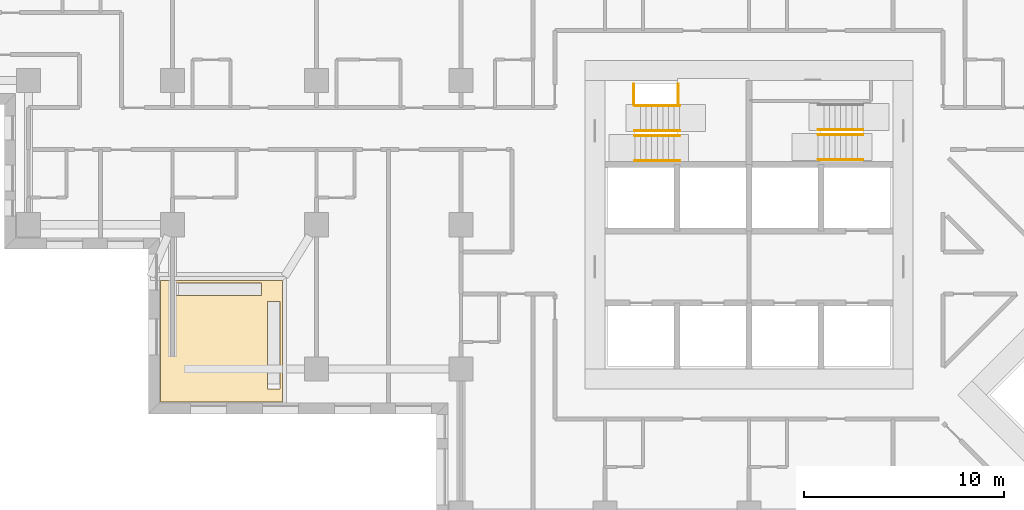
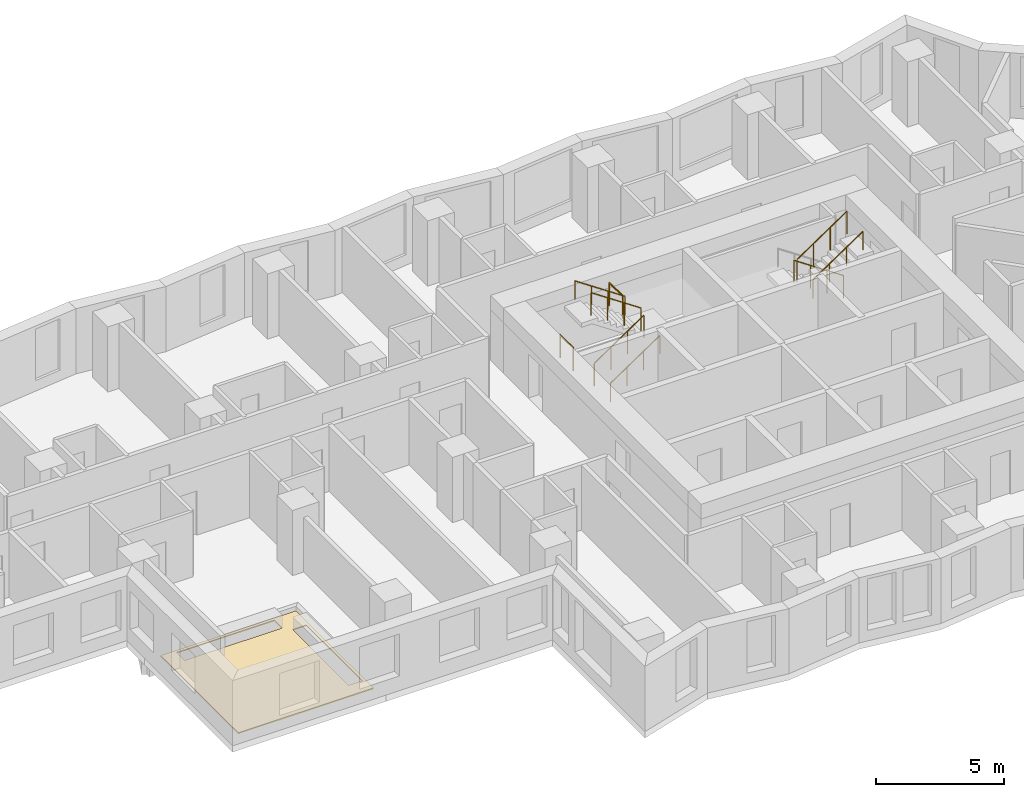
# One storey, part 12 of 14: 9 railings, 1 covering.
"""IFC4 building model written with IfcOpenShell, lengths in metres."""

from ifc_helpers import new_model, si_unit, direction, frame, origin, origin_2d, place, context, subcontext, project, spatial, polyline, circle, outline, extrude, material, layer, layer_set, type_object, element, save


model = new_model("IFC4")

# Units and contexts
model_context = context("Model", 3, precision=1e-05, world=origin(), true_north=direction((0.0, 1.0)))
body_context = subcontext(model_context, "Body", "Model", "MODEL_VIEW")
ifc_project = project(units=[si_unit("LENGTHUNIT", "METRE"), si_unit("AREAUNIT", "SQUARE_METRE"), si_unit("VOLUMEUNIT", "CUBIC_METRE"), si_unit("PLANEANGLEUNIT", "RADIAN"), si_unit("MASSUNIT", "GRAM", prefix="KILO")], contexts=[model_context])

# Site, building, storey
site_placement = place(None, origin())
site = spatial("IfcSite", under=ifc_project, at=site_placement, CompositionType="ELEMENT")
building_placement = place(site_placement, origin())
building = spatial("IfcBuilding", under=site, at=building_placement, Name="Windrow Commons", CompositionType="ELEMENT")
storey_placement = place(building_placement, frame((0.0, 0.0, 44.0)))
storey = spatial("IfcBuildingStorey", under=building, at=storey_placement, Name="L11", CompositionType="ELEMENT", Elevation=44.0)

# Railings
ifc_material_1 = material(Name="Steel S355", Category="steel")
railing_type_1 = type_object("IfcRailingType", Name="Core stair guard 1100", PredefinedType="GUARDRAIL", material=ifc_material_1)
railing_1_placement = place(storey_placement, frame((59.1, 62.05, 0.1889)))
element("IfcRailing", 1, at=railing_1_placement, inside=storey, type_object=railing_type_1, Name="L11 ST-A1 stair guard 1", PredefinedType="GUARDRAIL", context=body_context, shape_type="SweptSolid", body=[
    extrude(circle(Radius=0.024, at=origin_2d()), frame((0.0, 0.0, 1.076), z_axis=(0.8290030985, 0.0, 0.5592440099), x_axis=(0.0, 1.0, 0.0)), (0.0, 0.0, 1.0), 2.702),
    extrude(circle(Radius=0.021, at=origin_2d()), origin(), (0.0, 0.0, 1.0), 1.052),
    extrude(circle(Radius=0.021, at=origin_2d()), frame((0.7467, 0.0, 0.5037)), (0.0, 0.0, 1.0), 1.052),
    extrude(circle(Radius=0.021, at=origin_2d()), frame((1.4933, 0.0, 1.0074)), (0.0, 0.0, 1.0), 1.052),
    extrude(circle(Radius=0.021, at=origin_2d()), frame((2.24, 0.0, 1.5111)), (0.0, 0.0, 1.0), 1.052),
])
railing_2_placement = place(storey_placement, frame((61.34, 62.3, 1.8889)))
element("IfcRailing", 2, at=railing_2_placement, inside=storey, type_object=railing_type_1, Name="L11 ST-A1 stair guard 2", PredefinedType="GUARDRAIL", context=body_context, shape_type="SweptSolid", body=[
    extrude(circle(Radius=0.024, at=origin_2d()), frame((0.0, 0.0, 1.076), z_axis=(-0.8290030985, 0.0, 0.5592440099), x_axis=(0.0, -1.0, 0.0)), (0.0, 0.0, 1.0), 2.702),
    extrude(circle(Radius=0.021, at=origin_2d()), origin(), (0.0, 0.0, 1.0), 1.052),
    extrude(circle(Radius=0.021, at=origin_2d()), frame((-0.7467, 0.0, 0.5037)), (0.0, 0.0, 1.0), 1.052),
    extrude(circle(Radius=0.021, at=origin_2d()), frame((-1.4933, 0.0, 1.0074)), (0.0, 0.0, 1.0), 1.052),
    extrude(circle(Radius=0.021, at=origin_2d()), frame((-2.24, 0.0, 1.5111)), (0.0, 0.0, 1.0), 1.052),
])
for number, where, name in (
    (3, (59.05, 63.6, 0.0), "L11 ST-A1 stair guard 3"),
    (4, (61.27, 63.6, 1.7), "L11 ST-A1 stair guard 4"),
):
    element("IfcRailing", number, at=place(storey_placement, frame(where)), inside=storey, type_object=railing_type_1, Name=name, PredefinedType="GUARDRAIL", context=body_context, shape_type="SweptSolid", body=[
        extrude(circle(Radius=0.024, at=origin_2d()), frame((0.0, 0.0, 1.076), z_axis=(0.0, 1.0, 0.0), x_axis=(-1.0, 0.0, 0.0)), (0.0, 0.0, 1.0), 1.03),
        extrude(circle(Radius=0.021, at=origin_2d()), origin(), (0.0, 0.0, 1.0), 1.052),
        extrude(circle(Radius=0.021, at=origin_2d()), frame((0.0, 1.03, 0.0)), (0.0, 0.0, 1.0), 1.052),
    ])
railing_3_placement = place(storey_placement, frame((70.5, 62.355, 0.1889)))
element("IfcRailing", 5, at=railing_3_placement, inside=storey, type_object=railing_type_1, Name="L11 ST-A2 stair guard 1", PredefinedType="GUARDRAIL", context=body_context, shape_type="SweptSolid", body=[
    extrude(circle(Radius=0.024, at=origin_2d()), frame((0.0, 0.0, 1.076), z_axis=(-0.8290030985, 0.0, 0.5592440099), x_axis=(0.0, -1.0, 0.0)), (0.0, 0.0, 1.0), 2.702),
    extrude(circle(Radius=0.021, at=origin_2d()), origin(), (0.0, 0.0, 1.0), 1.052),
    extrude(circle(Radius=0.021, at=origin_2d()), frame((-0.7467, 0.0, 0.5037)), (0.0, 0.0, 1.0), 1.052),
    extrude(circle(Radius=0.021, at=origin_2d()), frame((-1.4933, 0.0, 1.0074)), (0.0, 0.0, 1.0), 1.052),
    extrude(circle(Radius=0.021, at=origin_2d()), frame((-2.24, 0.0, 1.5111)), (0.0, 0.0, 1.0), 1.052),
])
railing_4_placement = place(storey_placement, frame((68.26, 62.105, 1.8889)))
element("IfcRailing", 6, at=railing_4_placement, inside=storey, type_object=railing_type_1, Name="L11 ST-A2 stair guard 2", PredefinedType="GUARDRAIL", context=body_context, shape_type="SweptSolid", body=[
    extrude(circle(Radius=0.024, at=origin_2d()), frame((0.0, 0.0, 1.076), z_axis=(0.8290030985, 0.0, 0.5592440099), x_axis=(0.0, 1.0, 0.0)), (0.0, 0.0, 1.0), 2.702),
    extrude(circle(Radius=0.021, at=origin_2d()), origin(), (0.0, 0.0, 1.0), 1.052),
    extrude(circle(Radius=0.021, at=origin_2d()), frame((0.7467, 0.0, 0.5037)), (0.0, 0.0, 1.0), 1.052),
    extrude(circle(Radius=0.021, at=origin_2d()), frame((1.4933, 0.0, 1.0074)), (0.0, 0.0, 1.0), 1.052),
    extrude(circle(Radius=0.021, at=origin_2d()), frame((2.24, 0.0, 1.5111)), (0.0, 0.0, 1.0), 1.052),
])
ifc_material_2 = material(Name="Steel S355", Category="steel")
railing_type_2 = type_object("IfcRailingType", Name="Core stair handrail 900", PredefinedType="HANDRAIL", material=ifc_material_2)
railing_5_placement = place(storey_placement, frame((59.1, 60.8, 0.1889)))
element("IfcRailing", 7, at=railing_5_placement, inside=storey, type_object=railing_type_2, Name="L11 ST-A1 stair handrail 1", PredefinedType="HANDRAIL", context=body_context, shape_type="SweptSolid", body=[
    extrude(circle(Radius=0.024, at=origin_2d()), frame((0.0, 0.0, 0.876), z_axis=(0.8290030985, 0.0, 0.5592440099), x_axis=(0.0, 1.0, 0.0)), (0.0, 0.0, 1.0), 2.702),
    extrude(circle(Radius=0.021, at=origin_2d()), origin(), (0.0, 0.0, 1.0), 0.852),
    extrude(circle(Radius=0.021, at=origin_2d()), frame((0.7467, 0.0, 0.5037)), (0.0, 0.0, 1.0), 0.852),
    extrude(circle(Radius=0.021, at=origin_2d()), frame((1.4933, 0.0, 1.0074)), (0.0, 0.0, 1.0), 0.852),
    extrude(circle(Radius=0.021, at=origin_2d()), frame((2.24, 0.0, 1.5111)), (0.0, 0.0, 1.0), 0.852),
])
railing_6_placement = place(storey_placement, frame((61.34, 63.55, 1.8889)))
element("IfcRailing", 8, at=railing_6_placement, inside=storey, type_object=railing_type_2, Name="L11 ST-A1 stair handrail 2", PredefinedType="HANDRAIL", context=body_context, shape_type="SweptSolid", body=[
    extrude(circle(Radius=0.024, at=origin_2d()), frame((0.0, 0.0, 0.876), z_axis=(-0.8290030985, 0.0, 0.5592440099), x_axis=(0.0, -1.0, 0.0)), (0.0, 0.0, 1.0), 2.702),
    extrude(circle(Radius=0.021, at=origin_2d()), origin(), (0.0, 0.0, 1.0), 0.852),
    extrude(circle(Radius=0.021, at=origin_2d()), frame((-0.7467, 0.0, 0.5037)), (0.0, 0.0, 1.0), 0.852),
    extrude(circle(Radius=0.021, at=origin_2d()), frame((-1.4933, 0.0, 1.0074)), (0.0, 0.0, 1.0), 0.852),
    extrude(circle(Radius=0.021, at=origin_2d()), frame((-2.24, 0.0, 1.5111)), (0.0, 0.0, 1.0), 0.852),
])
railing_7_placement = place(storey_placement, frame((68.26, 60.855, 1.8889)))
element("IfcRailing", 9, at=railing_7_placement, inside=storey, type_object=railing_type_2, Name="L11 ST-A2 stair handrail 2", PredefinedType="HANDRAIL", context=body_context, shape_type="SweptSolid", body=[
    extrude(circle(Radius=0.024, at=origin_2d()), frame((0.0, 0.0, 0.876), z_axis=(0.8290030985, 0.0, 0.5592440099), x_axis=(0.0, 1.0, 0.0)), (0.0, 0.0, 1.0), 2.702),
    extrude(circle(Radius=0.021, at=origin_2d()), origin(), (0.0, 0.0, 1.0), 0.852),
    extrude(circle(Radius=0.021, at=origin_2d()), frame((0.7467, 0.0, 0.5037)), (0.0, 0.0, 1.0), 0.852),
    extrude(circle(Radius=0.021, at=origin_2d()), frame((1.4933, 0.0, 1.0074)), (0.0, 0.0, 1.0), 0.852),
    extrude(circle(Radius=0.021, at=origin_2d()), frame((2.24, 0.0, 1.5111)), (0.0, 0.0, 1.0), 0.852),
])

# Covering
ifc_material_3 = material(Name="Granite pavers on waterproofing membrane", Category="masonry")
ifc_layer = layer(ifc_material_3, 0.05)
ifc_layer_set = layer_set([ifc_layer], Name="Terrace roofing 50")
covering_type = type_object("IfcCoveringType", Name="Terrace roofing 50", PredefinedType="ROOFING", material=ifc_layer_set)
covering_placement = place(storey_placement, origin())
element("IfcCovering", 10, at=covering_placement, inside=storey, type_object=covering_type, Name="Terrace roofing TR-L11-1", PredefinedType="ROOFING", context=body_context, shape_type="SweptSolid", body=[
    extrude(outline(polyline([(35.4, 54.808), (41.49, 54.808), (41.49, 48.749), (35.4, 48.749), (35.4, 54.808)]), holes=[polyline([(41.36, 49.399), (41.36, 53.768), (40.74, 53.768), (40.74, 49.399), (41.36, 49.399)]), polyline([(40.45, 54.678), (36.05, 54.678), (36.05, 54.058), (40.45, 54.058), (40.45, 54.678)])]), origin(), (0.0, 0.0, 1.0), 0.05),
])

save(model, "model.ifc")
